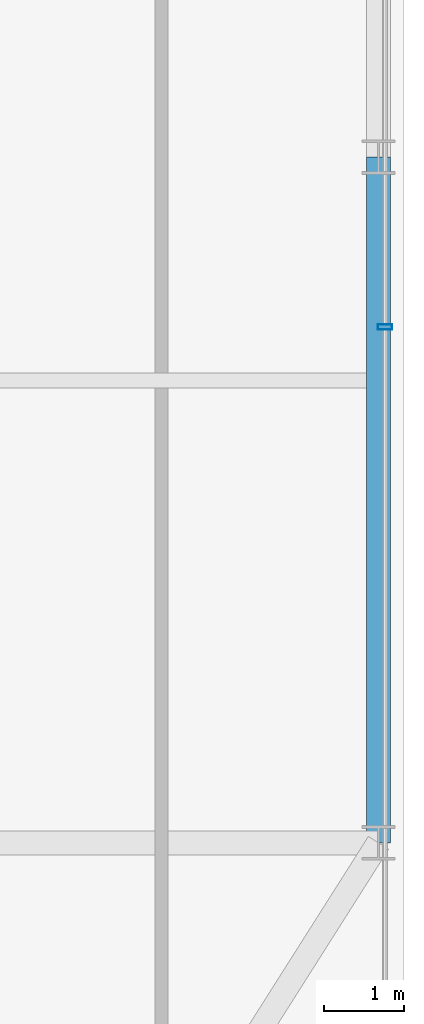
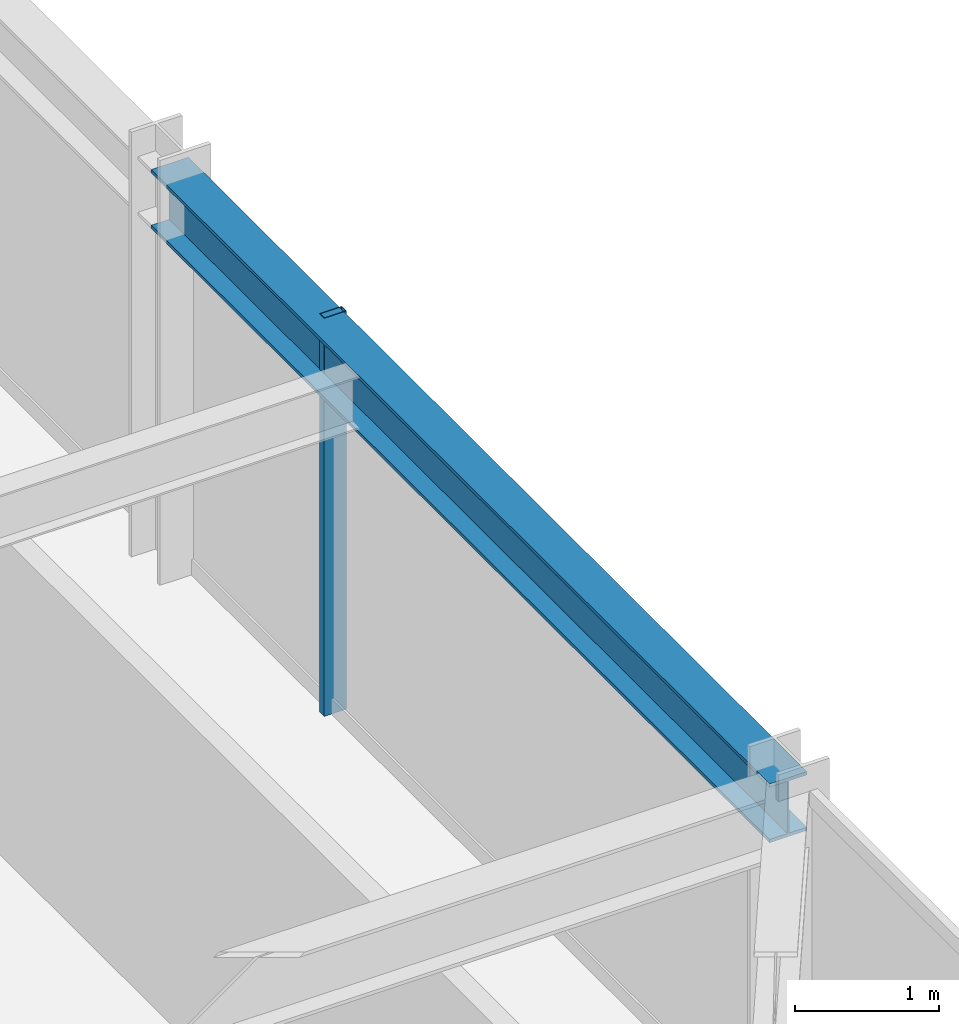
# One storey, part 13 of 40: 1 beam, 1 member, 1 element without a shape of its own.
"""IFC4 building model written with IfcOpenShell, lengths in metres."""

from ifc_helpers import new_model, si_unit, direction, frame, origin, origin_2d, place, context, subcontext, project, spatial, hollow_rectangle, i_section, extrude, source, transform, mapped, material, material_profile, profile_set, type_object, element, aggregate, save


model = new_model("IFC4")

# Units and contexts
model_context = context("Model", 3, precision=1e-05, world=origin(), true_north=direction((0.0, 1.0)))
body_context = subcontext(model_context, "Body", "Model", "MODEL_VIEW")
ifc_project = project(units=[si_unit("LENGTHUNIT", "METRE"), si_unit("AREAUNIT", "SQUARE_METRE"), si_unit("VOLUMEUNIT", "CUBIC_METRE"), si_unit("PLANEANGLEUNIT", "RADIAN"), si_unit("MASSUNIT", "GRAM", prefix="KILO")], contexts=[model_context])

# Site, building, storey
site_placement = place(None, origin())
site = spatial("IfcSite", under=ifc_project, at=site_placement, CompositionType="ELEMENT")
building_placement = place(site_placement, origin())
building = spatial("IfcBuilding", under=site, at=building_placement, Name="Nahalor Promenade Grand Hotel", CompositionType="ELEMENT")
storey_placement = place(building_placement, frame((0.0, 0.0, 91.949951171875)))
storey = spatial("IfcBuildingStorey", under=building, at=storey_placement, Name="L22", CompositionType="ELEMENT", Elevation=91.949951171875)

# Beam
ifc_material_1 = material(Name="Steel S355JR", Category="steel")
ifc_material_profile_1 = material_profile(ifc_material_1, i_section(OverallWidth=0.3, OverallDepth=0.5, WebThickness=0.0145, FlangeThickness=0.028, at=origin_2d()), Name="HEB 500")
ifc_profile_set_1 = profile_set([ifc_material_profile_1], Name="Steel S355JR")
beam_type = type_object("IfcBeamType", Name="Beam-Spandrel-HEB500", PredefinedType="SPANDREL", material=ifc_profile_set_1)
shared_shape_1 = source(origin(), body_context, "Body", "SweptSolid", [
    extrude(i_section(OverallWidth=0.3, OverallDepth=0.5, WebThickness=0.0145, FlangeThickness=0.028, at=origin_2d()), origin(), (0.0, 0.0, 1.0), 8.60009765625),
])
beam_placement = place(storey_placement, frame((23.780029296875, -17.0, 3.130126953125), z_axis=(0.0, 1.0, 0.0), x_axis=(-1.0, 0.0, 0.0)))
element("IfcBeam", 1, at=beam_placement, inside=storey, type_object=beam_type, Name="BM-L22-SP-E-0", PredefinedType="SPANDREL", context=body_context, shape_type="MappedRepresentation", body=[
    mapped(shared_shape_1, transform((0.0, 0.0, 0.0), scale=1.0)),
])

# Curtain wall, member
ifc_material_2 = material(Name="Anodised Bronze Aluminium EN AW-6063 T6", Category="aluminium")
curtain_wall_type = type_object("IfcCurtainWallType", Name="CW2 Typical Hotel Flush Bronze Unitised Curtain Wall", PredefinedType="USERDEFINED", material=ifc_material_2)
curtain_wall_placement = place(storey_placement, origin())
curtain_wall = element("IfcCurtainWall", 2, at=curtain_wall_placement, inside=storey, type_object=curtain_wall_type, Name="L22 Curtain Wall CW-L22-E-1", ObjectType="UNITISED_CURTAIN_WALL", PredefinedType="USERDEFINED")
ifc_material_profile_2 = material_profile(ifc_material_2, hollow_rectangle(XDim=0.065, YDim=0.18, WallThickness=0.004, at=origin_2d()), Name="CWM 65x180x4")
ifc_profile_set_2 = profile_set([ifc_material_profile_2], Name="Anodised Bronze Aluminium EN AW-6063 T6")
member_type = type_object("IfcMemberType", Name="CWM2 Typical Bronze Mullion 65x180", PredefinedType="MULLION", material=ifc_profile_set_2)
shared_shape_2 = source(origin(), body_context, "Body", "SweptSolid", [
    extrude(hollow_rectangle(XDim=0.065, YDim=0.18, WallThickness=0.004, at=origin_2d()), origin(), (0.0, 0.0, 1.0), 3.380126953125),
])
member_placement = place(storey_placement, frame((23.860107421875, -10.530029296875, 0.0), z_axis=(0.0, 0.0, 1.0), x_axis=(0.0, 1.0, 0.0)))
member = element("IfcMember", 3, at=member_placement, type_object=member_type, Name="CW-L22-E-1 Mullion 1", PredefinedType="MULLION", context=body_context, shape_type="MappedRepresentation", body=[
    mapped(shared_shape_2, transform((0.0, 0.0, 0.0), scale=1.0)),
])
aggregate(curtain_wall, [member])

save(model, "model.ifc")
